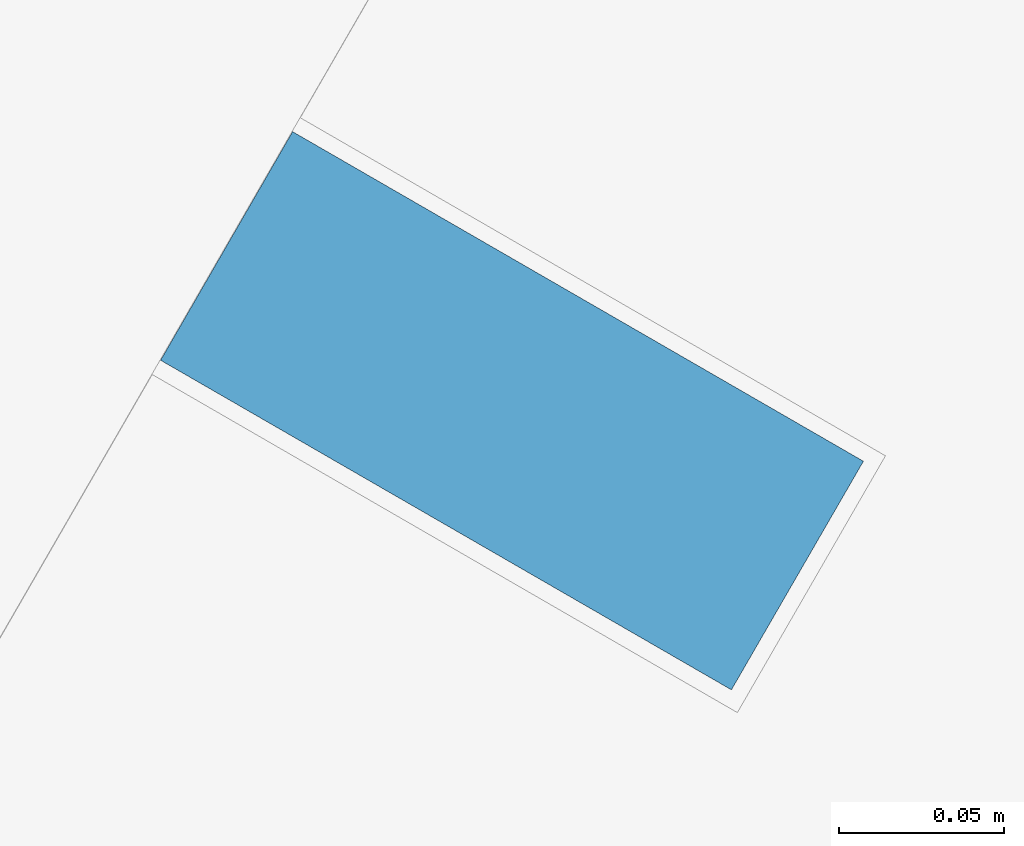
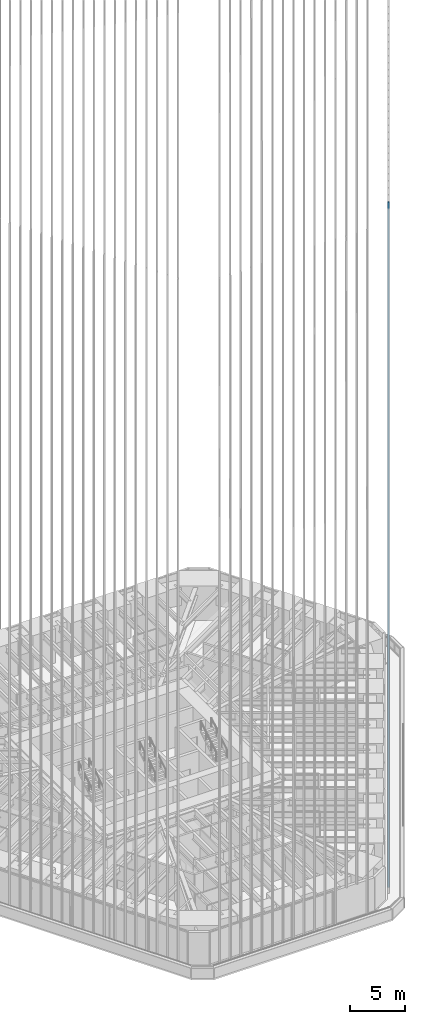
# One storey, part 70 of 238: 1 member, 1 element without a shape of its own.
"""IFC4 building model written with IfcOpenShell, lengths in metres."""

from ifc_helpers import new_model, si_unit, direction, frame, origin, origin_2d, place, context, subcontext, project, spatial, rectangle, extrude, material, material_profile, profile_set, type_object, element, aggregate, save


model = new_model("IFC4")

# Units and contexts
model_context = context("Model", 3, precision=1e-05, world=origin(), true_north=direction((0.0, 1.0)))
body_context = subcontext(model_context, "Body", "Model", "MODEL_VIEW")
ifc_project = project(units=[si_unit("LENGTHUNIT", "METRE"), si_unit("AREAUNIT", "SQUARE_METRE"), si_unit("VOLUMEUNIT", "CUBIC_METRE"), si_unit("PLANEANGLEUNIT", "RADIAN"), si_unit("MASSUNIT", "GRAM", prefix="KILO")], contexts=[model_context])

# Site, building, storey
site_placement = place(None, origin())
site = spatial("IfcSite", under=ifc_project, at=site_placement, CompositionType="ELEMENT")
building_placement = place(site_placement, origin())
building = spatial("IfcBuilding", under=site, at=building_placement, Name="Sandreach Pilgrim Tower", CompositionType="ELEMENT")
storey_placement = place(building_placement, frame((0.0, 0.0, 96.800048828125)))
storey = spatial("IfcBuildingStorey", under=building, at=storey_placement, Name="L23", CompositionType="ELEMENT", Elevation=96.800048828125)

# Curtain wall, member
ifc_material_1 = material(Name="Aluminium framed curtain wall", Category="aluminium")
curtain_wall_type = type_object("IfcCurtainWallType", Name="Hotel tower curtain wall", PredefinedType="NOTDEFINED", material=ifc_material_1)
curtain_wall_placement = place(storey_placement, origin())
curtain_wall = element("IfcCurtainWall", 1, at=curtain_wall_placement, inside=storey, type_object=curtain_wall_type, Name="CW-2 L23 SE", PredefinedType="NOTDEFINED")
ifc_material_2 = material(Name="Extruded terracotta on aluminium core", Category="masonry")
ifc_material_profile = material_profile(ifc_material_2, rectangle(XDim=0.080078125, YDim=0.199951171875, at=origin_2d()), Name="TBE 80X200")
ifc_profile_set = profile_set([ifc_material_profile], Name="Extruded terracotta on aluminium core")
member_type = type_object("IfcMemberType", Name="Terracotta baguette east", PredefinedType="USERDEFINED", material=ifc_profile_set)
member_placement = place(storey_placement, frame((11.5712890625, -25.74560546875, 0.0), z_axis=(0.0, 0.0, 1.0), x_axis=(-0.5, -0.866025403784, 0.0)))
member = element("IfcMember", 2, at=member_placement, type_object=member_type, Name="Baguette Z2 SE32", ObjectType="BAGUETTE", PredefinedType="USERDEFINED", context=body_context, shape_type="SweptSolid", body=[
    extrude(rectangle(XDim=0.080078125, YDim=0.199951171875, at=origin_2d()), origin(), (0.0, 0.0, 1.0), 75.83984375),
])
aggregate(curtain_wall, [member])

save(model, "model.ifc")
